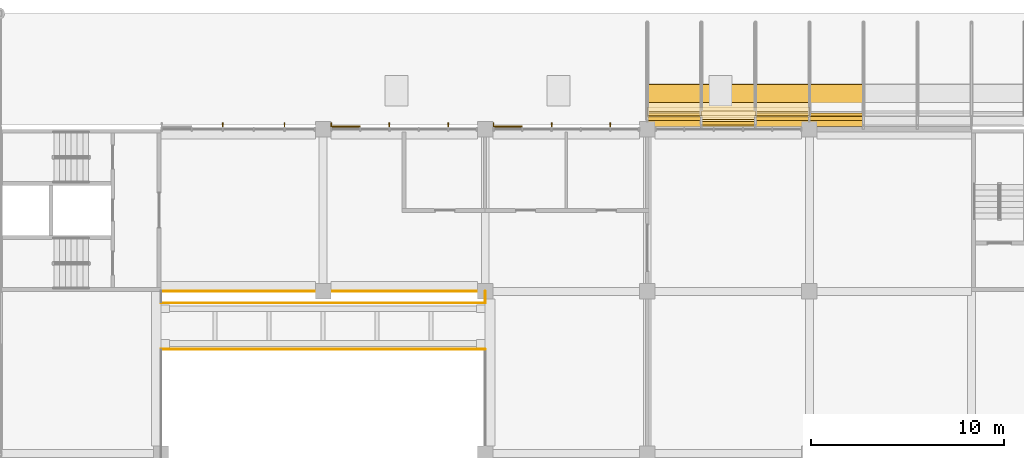
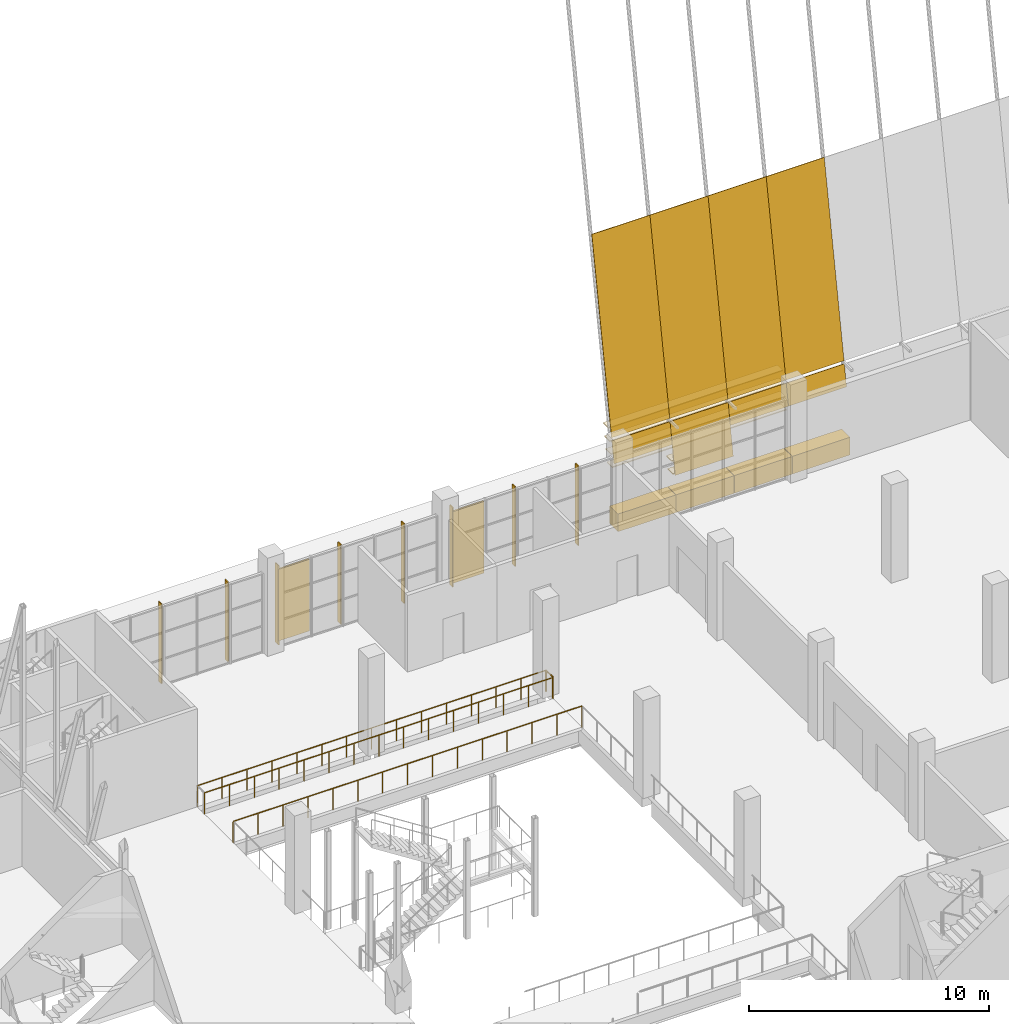
# One storey, part 90 of 101: 18 coverings, 10 shading devices, 4 railings.
"""IFC4 building model written with IfcOpenShell, lengths in metres."""

from ifc_helpers import new_model, si_unit, direction, frame, origin, origin_2d, place, context, subcontext, project, spatial, polyline, rectangle, circle, outline, extrude, material, layer, layer_set, material_profile, profile_set, type_object, element, save


model = new_model("IFC4")

# Units and contexts
model_context = context("Model", 3, precision=1e-05, world=origin(), true_north=direction((0.0, 1.0)))
body_context = subcontext(model_context, "Body", "Model", "MODEL_VIEW")
ifc_project = project(units=[si_unit("LENGTHUNIT", "METRE"), si_unit("AREAUNIT", "SQUARE_METRE"), si_unit("VOLUMEUNIT", "CUBIC_METRE"), si_unit("PLANEANGLEUNIT", "RADIAN"), si_unit("MASSUNIT", "GRAM", prefix="KILO")], contexts=[model_context])

# Site, building, storey
site_placement = place(None, origin())
site = spatial("IfcSite", under=ifc_project, at=site_placement, CompositionType="ELEMENT")
building_placement = place(site_placement, origin())
building = spatial("IfcBuilding", under=site, at=building_placement, Name="Almond Square Museum", CompositionType="ELEMENT")
storey_placement = place(building_placement, frame((0.0, 0.0, 5.5)))
storey = spatial("IfcBuildingStorey", under=building, at=storey_placement, Name="L01", CompositionType="ELEMENT", Elevation=5.5)

# Railings
ifc_material_1 = material(Name="Laminated glass and stainless steel", Category="steel")
railing_type_1 = type_object("IfcRailingType", Name="Atrium bridge guard 1100", PredefinedType="GUARDRAIL", material=ifc_material_1)
railing_1_placement = place(storey_placement, frame((81.60009765625, 97.800048828125, 0.0)))
element("IfcRailing", 1, at=railing_1_placement, inside=storey, type_object=railing_type_1, Name="BR-L01-2 bridge guard south", PredefinedType="GUARDRAIL", context=body_context, shape_type="SweptSolid", body=[
    extrude(circle(Radius=0.02392578125, at=origin_2d()), frame((0.0, 0.0, 1.076171875), z_axis=(1.0, 0.0, 0.0), x_axis=(0.0, 1.0, 0.0)), (0.0, 0.0, 1.0), 16.7998046875),
    extrude(circle(Radius=0.02099609375, at=origin_2d()), origin(), (0.0, 0.0, 1.0), 1.052001953125),
    extrude(circle(Radius=0.02099609375, at=origin_2d()), frame((1.199951171875, 0.0, 0.0)), (0.0, 0.0, 1.0), 1.052001953125),
    extrude(circle(Radius=0.02099609375, at=origin_2d()), frame((2.39990234375, 0.0, 0.0)), (0.0, 0.0, 1.0), 1.052001953125),
    extrude(circle(Radius=0.02099609375, at=origin_2d()), frame((3.599853515625, 0.0, 0.0)), (0.0, 0.0, 1.0), 1.052001953125),
    extrude(circle(Radius=0.02099609375, at=origin_2d()), frame((4.800048828125, 0.0, 0.0)), (0.0, 0.0, 1.0), 1.052001953125),
    extrude(circle(Radius=0.02099609375, at=origin_2d()), frame((6.0, 0.0, 0.0)), (0.0, 0.0, 1.0), 1.052001953125),
    extrude(circle(Radius=0.02099609375, at=origin_2d()), frame((7.199951171875, 0.0, 0.0)), (0.0, 0.0, 1.0), 1.052001953125),
    extrude(circle(Radius=0.02099609375, at=origin_2d()), frame((8.39990234375, 0.0, 0.0)), (0.0, 0.0, 1.0), 1.052001953125),
    extrude(circle(Radius=0.02099609375, at=origin_2d()), frame((9.599853515625, 0.0, 0.0)), (0.0, 0.0, 1.0), 1.052001953125),
    extrude(circle(Radius=0.02099609375, at=origin_2d()), frame((10.7998046875, 0.0, 0.0)), (0.0, 0.0, 1.0), 1.052001953125),
    extrude(circle(Radius=0.02099609375, at=origin_2d()), frame((11.999755859375, 0.0, 0.0)), (0.0, 0.0, 1.0), 1.052001953125),
    extrude(circle(Radius=0.02099609375, at=origin_2d()), frame((13.199951171875, 0.0, 0.0)), (0.0, 0.0, 1.0), 1.052001953125),
    extrude(circle(Radius=0.02099609375, at=origin_2d()), frame((14.39990234375, 0.0, 0.0)), (0.0, 0.0, 1.0), 1.052001953125),
    extrude(circle(Radius=0.02099609375, at=origin_2d()), frame((15.599853515625, 0.0, 0.0)), (0.0, 0.0, 1.0), 1.052001953125),
    extrude(circle(Radius=0.02099609375, at=origin_2d()), frame((16.7998046875, 0.0, 0.0)), (0.0, 0.0, 1.0), 1.052001953125),
])
railing_2_placement = place(storey_placement, frame((81.60009765625, 100.199951171875, 0.0)))
element("IfcRailing", 2, at=railing_2_placement, inside=storey, type_object=railing_type_1, Name="BR-L01-2 bridge guard north", PredefinedType="GUARDRAIL", context=body_context, shape_type="SweptSolid", body=[
    extrude(circle(Radius=0.02392578125, at=origin_2d()), frame((0.0, 0.0, 1.076171875), z_axis=(1.0, 0.0, 0.0), x_axis=(0.0, 1.0, 0.0)), (0.0, 0.0, 1.0), 16.7998046875),
    extrude(circle(Radius=0.02099609375, at=origin_2d()), origin(), (0.0, 0.0, 1.0), 1.052001953125),
    extrude(circle(Radius=0.02099609375, at=origin_2d()), frame((1.199951171875, 0.0, 0.0)), (0.0, 0.0, 1.0), 1.052001953125),
    extrude(circle(Radius=0.02099609375, at=origin_2d()), frame((2.39990234375, 0.0, 0.0)), (0.0, 0.0, 1.0), 1.052001953125),
    extrude(circle(Radius=0.02099609375, at=origin_2d()), frame((3.599853515625, 0.0, 0.0)), (0.0, 0.0, 1.0), 1.052001953125),
    extrude(circle(Radius=0.02099609375, at=origin_2d()), frame((4.800048828125, 0.0, 0.0)), (0.0, 0.0, 1.0), 1.052001953125),
    extrude(circle(Radius=0.02099609375, at=origin_2d()), frame((6.0, 0.0, 0.0)), (0.0, 0.0, 1.0), 1.052001953125),
    extrude(circle(Radius=0.02099609375, at=origin_2d()), frame((7.199951171875, 0.0, 0.0)), (0.0, 0.0, 1.0), 1.052001953125),
    extrude(circle(Radius=0.02099609375, at=origin_2d()), frame((8.39990234375, 0.0, 0.0)), (0.0, 0.0, 1.0), 1.052001953125),
    extrude(circle(Radius=0.02099609375, at=origin_2d()), frame((9.599853515625, 0.0, 0.0)), (0.0, 0.0, 1.0), 1.052001953125),
    extrude(circle(Radius=0.02099609375, at=origin_2d()), frame((10.7998046875, 0.0, 0.0)), (0.0, 0.0, 1.0), 1.052001953125),
    extrude(circle(Radius=0.02099609375, at=origin_2d()), frame((11.999755859375, 0.0, 0.0)), (0.0, 0.0, 1.0), 1.052001953125),
    extrude(circle(Radius=0.02099609375, at=origin_2d()), frame((13.199951171875, 0.0, 0.0)), (0.0, 0.0, 1.0), 1.052001953125),
    extrude(circle(Radius=0.02099609375, at=origin_2d()), frame((14.39990234375, 0.0, 0.0)), (0.0, 0.0, 1.0), 1.052001953125),
    extrude(circle(Radius=0.02099609375, at=origin_2d()), frame((15.599853515625, 0.0, 0.0)), (0.0, 0.0, 1.0), 1.052001953125),
    extrude(circle(Radius=0.02099609375, at=origin_2d()), frame((16.7998046875, 0.0, 0.0)), (0.0, 0.0, 1.0), 1.052001953125),
])
ifc_material_2 = material(Name="Laminated glass and stainless steel", Category="steel")
railing_type_2 = type_object("IfcRailingType", Name="Atrium guard 1100 glass balustrade", PredefinedType="GUARDRAIL", material=ifc_material_2)
railing_3_placement = place(storey_placement, frame((98.39990234375, 100.25, 0.0)))
element("IfcRailing", 3, at=railing_3_placement, inside=storey, type_object=railing_type_2, Name="L01 atrium guard 7", PredefinedType="GUARDRAIL", context=body_context, shape_type="SweptSolid", body=[
    extrude(circle(Radius=0.02392578125, at=origin_2d()), frame((0.0, 0.0, 1.076171875), z_axis=(0.0, 1.0, 0.0), x_axis=(-1.0, 0.0, 0.0)), (0.0, 0.0, 1.0), 0.550048828125),
    extrude(circle(Radius=0.02099609375, at=origin_2d()), origin(), (0.0, 0.0, 1.0), 1.052001953125),
    extrude(circle(Radius=0.02099609375, at=origin_2d()), frame((0.0, 0.550048828125, 0.0)), (0.0, 0.0, 1.0), 1.052001953125),
])
railing_4_placement = place(storey_placement, frame((81.60009765625, 100.800048828125, 0.0)))
element("IfcRailing", 4, at=railing_4_placement, inside=storey, type_object=railing_type_2, Name="L01 atrium guard 10", PredefinedType="GUARDRAIL", context=body_context, shape_type="SweptSolid", body=[
    extrude(circle(Radius=0.02392578125, at=origin_2d()), frame((0.0, 0.0, 1.076171875), z_axis=(1.0, 0.0, 0.0), x_axis=(0.0, 1.0, 0.0)), (0.0, 0.0, 1.0), 16.7998046875),
    extrude(circle(Radius=0.02099609375, at=origin_2d()), origin(), (0.0, 0.0, 1.0), 1.052001953125),
    extrude(circle(Radius=0.02099609375, at=origin_2d()), frame((1.199951171875, 0.0, 0.0)), (0.0, 0.0, 1.0), 1.052001953125),
    extrude(circle(Radius=0.02099609375, at=origin_2d()), frame((2.39990234375, 0.0, 0.0)), (0.0, 0.0, 1.0), 1.052001953125),
    extrude(circle(Radius=0.02099609375, at=origin_2d()), frame((3.599853515625, 0.0, 0.0)), (0.0, 0.0, 1.0), 1.052001953125),
    extrude(circle(Radius=0.02099609375, at=origin_2d()), frame((4.800048828125, 0.0, 0.0)), (0.0, 0.0, 1.0), 1.052001953125),
    extrude(circle(Radius=0.02099609375, at=origin_2d()), frame((6.0, 0.0, 0.0)), (0.0, 0.0, 1.0), 1.052001953125),
    extrude(circle(Radius=0.02099609375, at=origin_2d()), frame((7.199951171875, 0.0, 0.0)), (0.0, 0.0, 1.0), 1.052001953125),
    extrude(circle(Radius=0.02099609375, at=origin_2d()), frame((8.39990234375, 0.0, 0.0)), (0.0, 0.0, 1.0), 1.052001953125),
    extrude(circle(Radius=0.02099609375, at=origin_2d()), frame((9.599853515625, 0.0, 0.0)), (0.0, 0.0, 1.0), 1.052001953125),
    extrude(circle(Radius=0.02099609375, at=origin_2d()), frame((10.7998046875, 0.0, 0.0)), (0.0, 0.0, 1.0), 1.052001953125),
    extrude(circle(Radius=0.02099609375, at=origin_2d()), frame((11.999755859375, 0.0, 0.0)), (0.0, 0.0, 1.0), 1.052001953125),
    extrude(circle(Radius=0.02099609375, at=origin_2d()), frame((13.199951171875, 0.0, 0.0)), (0.0, 0.0, 1.0), 1.052001953125),
    extrude(circle(Radius=0.02099609375, at=origin_2d()), frame((14.39990234375, 0.0, 0.0)), (0.0, 0.0, 1.0), 1.052001953125),
    extrude(circle(Radius=0.02099609375, at=origin_2d()), frame((15.599853515625, 0.0, 0.0)), (0.0, 0.0, 1.0), 1.052001953125),
    extrude(circle(Radius=0.02099609375, at=origin_2d()), frame((16.7998046875, 0.0, 0.0)), (0.0, 0.0, 1.0), 1.052001953125),
])

# Coverings
ifc_material_3 = material(Name="Cedar timber louvre board", Category="wood")
ifc_material_profile_1 = material_profile(ifc_material_3, rectangle(XDim=0.449951171875, YDim=0.050048828125, at=origin_2d()))
ifc_profile_set_1 = profile_set([ifc_material_profile_1], Name="Cedar timber louvre board")
covering_type_1 = type_object("IfcCoveringType", Name="Louvre board 450 x 50", PredefinedType="CLADDING", material=ifc_profile_set_1)
for number, where, z_axis, x_axis, name in (
    (5, (109.60009765625, 109.82373046875, 1.800048828125), (1.0, 0.0, 0.0), (0.0, 1.0, 0.0), "Louvre board N01.01"),
    (6, (109.60009765625, 109.9296875, 2.39990234375), (1.0, 0.0, 0.0), (0.0, 1.0, 0.0), "Louvre board N02.01"),
):
    element("IfcCovering", number, at=place(storey_placement, frame(where, z_axis=z_axis, x_axis=x_axis)), inside=storey, type_object=covering_type_1, Name=name, PredefinedType="CLADDING", context=body_context, shape_type="SweptSolid", body=[
        extrude(rectangle(XDim=0.449951171875, YDim=0.050048828125, at=origin_2d()), origin(), (0.0, 0.0, 1.0), 2.7998046875),
    ])
for number, where, z_axis, x_axis, name in (
    (7, (106.800048828125, 110.035400390625, 3.0), (1.0, 0.0, 0.0), (0.0, 1.0, 0.0), "Louvre board N03.01"),
    (8, (106.800048828125, 110.14111328125, 3.60009765625), (1.0, 0.0, 0.0), (0.0, 1.0, 0.0), "Louvre board N04.01"),
    (9, (106.800048828125, 110.2470703125, 4.199951171875), (1.0, 0.0, 0.0), (0.0, 1.0, 0.0), "Louvre board N05.01"),
    (10, (106.800048828125, 110.352783203125, 4.800048828125), (1.0, 0.0, 0.0), (0.0, 1.0, 0.0), "Louvre board N06.01"),
):
    element("IfcCovering", number, at=place(storey_placement, frame(where, z_axis=z_axis, x_axis=x_axis)), inside=storey, type_object=covering_type_1, Name=name, PredefinedType="CLADDING", context=body_context, shape_type="SweptSolid", body=[
        extrude(rectangle(XDim=0.449951171875, YDim=0.050048828125, at=origin_2d()), origin(), (0.0, 0.0, 1.0), 8.39990234375),
    ])
ifc_material_4 = material(Name="Cedar timber sheathing panel", Category="wood")
ifc_layer_1 = layer(ifc_material_4, 0.030029296875)
ifc_layer_set_1 = layer_set([ifc_layer_1], Name="Cedar timber sheathing panel")
covering_type_2 = type_object("IfcCoveringType", Name="Louvre rain-screen backing panel 30", PredefinedType="CLADDING", material=ifc_layer_set_1)
covering_1_placement = place(storey_placement, frame((106.800048828125, 109.67724609375, 3.2666015625), z_axis=(0.0, -0.984810858511, 0.173630564586), x_axis=(1.0, 0.0, 0.0)))
element("IfcCovering", 11, at=covering_1_placement, inside=storey, type_object=covering_type_2, Name="Louvre rain-screen backing panel N01.03", PredefinedType="CLADDING", context=body_context, shape_type="SweptSolid", body=[
    extrude(outline(polyline([(0.0, 0.0), (2.800048828125, 0.0), (2.800048828125, 1.079878997382029), (0.0, 1.079878997382029), (0.0, 0.0)])), frame((0.0, 0.0, -0.01513671875)), (0.0, 0.0, 1.0), 0.030029296875),
])
covering_2_placement = place(storey_placement, frame((106.800048828125, 109.889404296875, 4.469970703125), z_axis=(0.0, -0.98480863204, 0.173643192378), x_axis=(1.0, 0.0, 0.0)))
element("IfcCovering", 12, at=covering_2_placement, inside=storey, type_object=covering_type_2, Name="Louvre rain-screen backing panel N01.04", PredefinedType="CLADDING", context=body_context, shape_type="SweptSolid", body=[
    extrude(outline(polyline([(0.0, 0.0), (2.800048828125, 0.0), (2.800048828125, 9.504493682681225), (0.0, 9.504493682681225), (0.0, 0.0)])), frame((0.0, 0.0, -0.01513671875)), (0.0, 0.0, 1.0), 0.030029296875),
])
covering_3_placement = place(storey_placement, frame((109.60009765625, 109.42724609375, 1.8486328125), z_axis=(0.0, -0.984810858511, 0.173630564586), x_axis=(1.0, 0.0, 0.0)))
element("IfcCovering", 13, at=covering_3_placement, inside=storey, type_object=covering_type_2, Name="Louvre rain-screen backing panel N02.03", PredefinedType="CLADDING", context=body_context, shape_type="SweptSolid", body=[
    extrude(outline(polyline([(0.0, 0.0), (2.7998046875, 0.0), (2.7998046875, 2.519717660558068), (0.0, 2.519717660558068), (0.0, 0.0)])), frame((0.0, 0.0, -0.01513671875)), (0.0, 0.0, 1.0), 0.030029296875),
])
covering_4_placement = place(storey_placement, frame((109.60009765625, 109.889404296875, 4.469970703125), z_axis=(0.0, -0.98480863204, 0.173643192378), x_axis=(1.0, 0.0, 0.0)))
element("IfcCovering", 14, at=covering_4_placement, inside=storey, type_object=covering_type_2, Name="Louvre rain-screen backing panel N02.04", PredefinedType="CLADDING", context=body_context, shape_type="SweptSolid", body=[
    extrude(outline(polyline([(0.0, 0.0), (2.7998046875, 0.0), (2.7998046875, 9.504493682681227), (0.0, 9.504493682681227), (0.0, 0.0)])), frame((0.0, 0.0, -0.01513671875)), (0.0, 0.0, 1.0), 0.030029296875),
])
covering_5_placement = place(storey_placement, frame((112.39990234375, 109.67724609375, 3.2666015625), z_axis=(0.0, -0.984810858511, 0.173630564586), x_axis=(1.0, 0.0, 0.0)))
element("IfcCovering", 15, at=covering_5_placement, inside=storey, type_object=covering_type_2, Name="Louvre rain-screen backing panel N03.03", PredefinedType="CLADDING", context=body_context, shape_type="SweptSolid", body=[
    extrude(outline(polyline([(0.0, 0.0), (2.800048828125, 0.0), (2.800048828125, 1.079878997382029), (0.0, 1.079878997382029), (0.0, 0.0)])), frame((0.0, 0.0, -0.01513671875)), (0.0, 0.0, 1.0), 0.030029296875),
])
covering_6_placement = place(storey_placement, frame((112.39990234375, 109.889404296875, 4.469970703125), z_axis=(0.0, -0.98480863204, 0.173643192378), x_axis=(1.0, 0.0, 0.0)))
element("IfcCovering", 16, at=covering_6_placement, inside=storey, type_object=covering_type_2, Name="Louvre rain-screen backing panel N03.04", PredefinedType="CLADDING", context=body_context, shape_type="SweptSolid", body=[
    extrude(outline(polyline([(0.0, 0.0), (2.800048828125, 0.0), (2.800048828125, 9.504493682681225), (0.0, 9.504493682681225), (0.0, 0.0)])), frame((0.0, 0.0, -0.01513671875)), (0.0, 0.0, 1.0), 0.030029296875),
])
covering_7_placement = place(storey_placement, frame((115.199951171875, 109.67724609375, 3.2666015625), z_axis=(0.0, -0.984810858511, 0.173630564586), x_axis=(1.0, 0.0, 0.0)))
element("IfcCovering", 17, at=covering_7_placement, inside=storey, type_object=covering_type_2, Name="Louvre rain-screen backing panel N04.03", PredefinedType="CLADDING", context=body_context, shape_type="SweptSolid", body=[
    extrude(outline(polyline([(0.0, 0.0), (2.800048828125, 0.0), (2.800048828125, 1.079878997382029), (0.0, 1.079878997382029), (0.0, 0.0)])), frame((0.0, 0.0, -0.01513671875)), (0.0, 0.0, 1.0), 0.030029296875),
])
covering_8_placement = place(storey_placement, frame((115.199951171875, 109.889404296875, 4.469970703125), z_axis=(0.0, -0.98480863204, 0.173643192378), x_axis=(1.0, 0.0, 0.0)))
element("IfcCovering", 18, at=covering_8_placement, inside=storey, type_object=covering_type_2, Name="Louvre rain-screen backing panel N04.04", PredefinedType="CLADDING", context=body_context, shape_type="SweptSolid", body=[
    extrude(outline(polyline([(0.0, 0.0), (2.800048828125, 0.0), (2.800048828125, 9.504493682681225), (0.0, 9.504493682681225), (0.0, 0.0)])), frame((0.0, 0.0, -0.01513671875)), (0.0, 0.0, 1.0), 0.030029296875),
])
ifc_material_5 = material(Name="Timber plinth, cedar", Category="wood")
ifc_layer_2 = layer(ifc_material_5, 0.699951171875)
ifc_layer_set_2 = layer_set([ifc_layer_2], Name="Timber plinth, cedar")
covering_type_3 = type_object("IfcCoveringType", Name="Louvre skin plinth, timber 700 x 900", PredefinedType="CLADDING", material=ifc_layer_set_2)
for number, where, z_axis, x_axis, name in (
    (19, (108.199951171875, 109.699951171875, 0.0), (0.0, 0.0, 1.0), (1.0, 0.0, 0.0), "Louvre skin plinth N01"),
    (20, (111.0, 109.699951171875, 0.0), (0.0, 0.0, 1.0), (1.0, 0.0, 0.0), "Louvre skin plinth N02"),
    (21, (113.800048828125, 109.699951171875, 0.0), (0.0, 0.0, 1.0), (1.0, 0.0, 0.0), "Louvre skin plinth N03"),
    (22, (116.60009765625, 109.699951171875, 0.0), (0.0, 0.0, 1.0), (1.0, 0.0, 0.0), "Louvre skin plinth N04"),
):
    element("IfcCovering", number, at=place(storey_placement, frame(where, z_axis=z_axis, x_axis=x_axis)), inside=storey, type_object=covering_type_3, Name=name, PredefinedType="CLADDING", context=body_context, shape_type="SweptSolid", body=[
        extrude(rectangle(XDim=2.780029296875, YDim=0.699951171875, at=origin_2d()), origin(), (0.0, 0.0, 1.0), 0.89990234375),
    ])

# Shading devices
ifc_material_6 = material(Name="Anodised aluminium louvre", Category="aluminium")
shading_device_type_1 = type_object("IfcShadingDeviceType", Name="Storm louvre shutter", PredefinedType="SHUTTER", material=ifc_material_6)
for number, where, z_axis, x_axis, name in (
    (23, (99.574951171875, 109.337890625, 0.199951171875), (0.0, 0.0, 1.0), (1.0, 0.0, 0.0), "Storm louvre shutter"),
    (24, (91.175048828125, 109.337890625, 0.199951171875), (0.0, 0.0, 1.0), (1.0, 0.0, 0.0), "Storm louvre shutter"),
):
    element("IfcShadingDevice", number, at=place(storey_placement, frame(where, z_axis=z_axis, x_axis=x_axis)), inside=storey, type_object=shading_device_type_1, Name=name, PredefinedType="SHUTTER", context=body_context, shape_type="SweptSolid", body=[
        extrude(rectangle(XDim=1.489990234375, YDim=0.080078125, at=origin_2d()), origin(), (0.0, 0.0, 1.0), 3.64990234375),
    ])
ifc_material_7 = material(Name="Cedar timber fin", Category="wood")
ifc_material_profile_2 = material_profile(ifc_material_7, rectangle(XDim=0.25, YDim=0.050048828125, at=origin_2d()))
ifc_profile_set_2 = profile_set([ifc_material_profile_2], Name="Cedar timber fin")
shading_device_type_2 = type_object("IfcShadingDeviceType", Name="Timber fin 250 x 50", PredefinedType="USERDEFINED", material=ifc_profile_set_2)
for number, where, z_axis, x_axis, name in (
    (25, (98.830078125, 109.423095703125, 0.0), (0.0, 0.0, 1.0), (0.0, 1.0, 0.0), "Timber fin"),
    (26, (101.840087890625, 109.423095703125, 0.0), (0.0, 0.0, 1.0), (0.0, 1.0, 0.0), "Timber fin"),
    (27, (104.8798828125, 109.423095703125, 0.0), (0.0, 0.0, 1.0), (0.0, 1.0, 0.0), "Timber fin"),
    (28, (90.429931640625, 109.423095703125, 0.0), (0.0, 0.0, 1.0), (0.0, 1.0, 0.0), "Timber fin"),
    (29, (93.43994140625, 109.423095703125, 0.0), (0.0, 0.0, 1.0), (0.0, 1.0, 0.0), "Timber fin"),
    (30, (96.47998046875, 109.423095703125, 0.0), (0.0, 0.0, 1.0), (0.0, 1.0, 0.0), "Timber fin"),
    (31, (84.800048828125, 109.423095703125, 0.0), (0.0, 0.0, 1.0), (0.0, 1.0, 0.0), "Timber fin"),
    (32, (88.0, 109.423095703125, 0.0), (0.0, 0.0, 1.0), (0.0, 1.0, 0.0), "Timber fin"),
):
    element("IfcShadingDevice", number, at=place(storey_placement, frame(where, z_axis=z_axis, x_axis=x_axis)), inside=storey, type_object=shading_device_type_2, Name=name, ObjectType="FIN", PredefinedType="USERDEFINED", context=body_context, shape_type="SweptSolid", body=[
        extrude(rectangle(XDim=0.25, YDim=0.050048828125, at=origin_2d()), origin(), (0.0, 0.0, 1.0), 4.050048828125),
    ])

save(model, "model.ifc")
